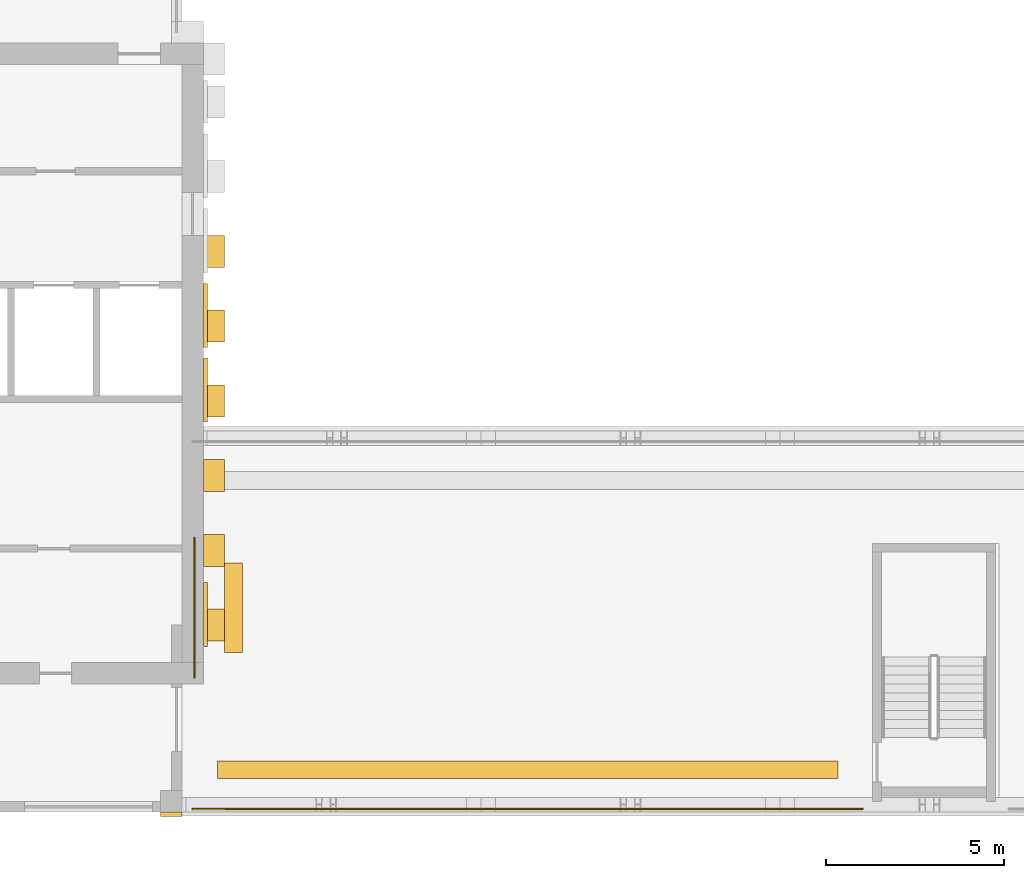
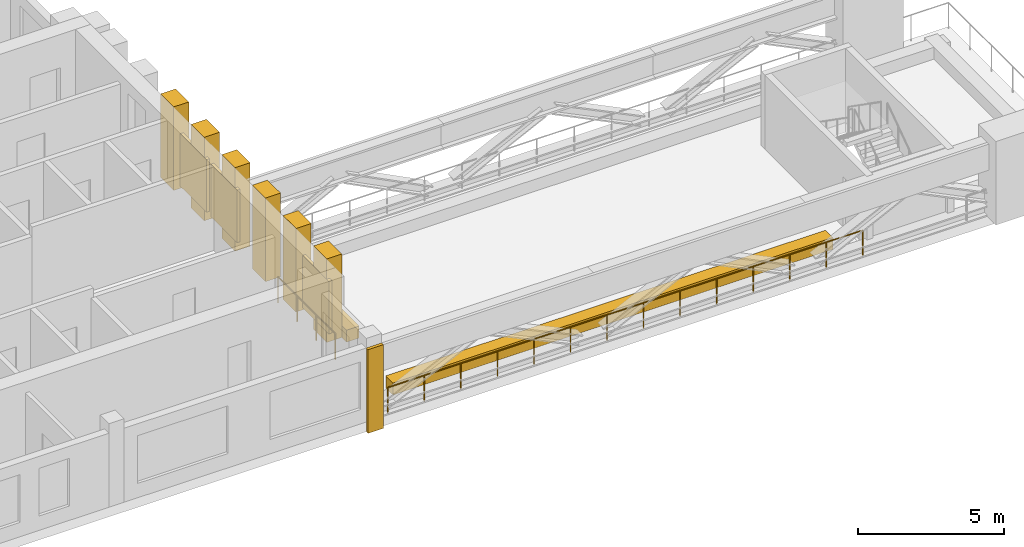
# One storey, part 6 of 9: 12 coverings, 2 railings.
"""IFC4 building model written with IfcOpenShell, lengths in metres."""

from ifc_helpers import new_model, si_unit, direction, frame, origin, origin_2d, place, context, subcontext, project, spatial, rectangle, circle, extrude, source, transform, mapped, material, type_object, element, save


model = new_model("IFC4")

# Units and contexts
model_context = context("Model", 3, precision=1e-05, world=origin(), true_north=direction((0.0, 1.0)))
body_context = subcontext(model_context, "Body", "Model", "MODEL_VIEW")
ifc_project = project(units=[si_unit("LENGTHUNIT", "METRE"), si_unit("AREAUNIT", "SQUARE_METRE"), si_unit("VOLUMEUNIT", "CUBIC_METRE"), si_unit("PLANEANGLEUNIT", "RADIAN"), si_unit("MASSUNIT", "GRAM", prefix="KILO")], contexts=[model_context])

# Site, building, storey
site_placement = place(None, origin())
site = spatial("IfcSite", under=ifc_project, at=site_placement, CompositionType="ELEMENT")
building_placement = place(site_placement, origin())
building = spatial("IfcBuilding", under=site, at=building_placement, Name="Aurelian Terraces", CompositionType="ELEMENT")
storey_placement = place(building_placement, frame((0.0, 0.0, 351.0)))
storey = spatial("IfcBuildingStorey", under=building, at=storey_placement, Name="L83", CompositionType="ELEMENT", Elevation=351.0)

# Railing
ifc_material_1 = material(Name="Anodised aluminium", Category="aluminium")
railing_type = type_object("IfcRailingType", Name="GUARD-1100", PredefinedType="GUARDRAIL", material=ifc_material_1)
railing_1_placement = place(storey_placement, frame((40.1211, 0.09, 0.0)))
element("IfcRailing", 1, at=railing_1_placement, inside=storey, type_object=railing_type, Name="Terrace guard L83 PORTAL-U1.1", PredefinedType="GUARDRAIL", context=body_context, shape_type="SweptSolid", body=[
    extrude(circle(Radius=0.024, at=origin_2d()), frame((0.0, 0.0, 1.076), z_axis=(-1.0, 0.0, 0.0), x_axis=(0.0, -1.0, 0.0)), (0.0, 0.0, 1.0), 18.8211),
    extrude(circle(Radius=0.021, at=origin_2d()), origin(), (0.0, 0.0, 1.0), 1.052),
    extrude(circle(Radius=0.021, at=origin_2d()), frame((-1.4478, 0.0, 0.0)), (0.0, 0.0, 1.0), 1.052),
    extrude(circle(Radius=0.021, at=origin_2d()), frame((-2.8956, 0.0, 0.0)), (0.0, 0.0, 1.0), 1.052),
    extrude(circle(Radius=0.021, at=origin_2d()), frame((-4.3433, 0.0, 0.0)), (0.0, 0.0, 1.0), 1.052),
    extrude(circle(Radius=0.021, at=origin_2d()), frame((-5.7911, 0.0, 0.0)), (0.0, 0.0, 1.0), 1.052),
    extrude(circle(Radius=0.021, at=origin_2d()), frame((-7.2389, 0.0, 0.0)), (0.0, 0.0, 1.0), 1.052),
    extrude(circle(Radius=0.021, at=origin_2d()), frame((-8.6867, 0.0, 0.0)), (0.0, 0.0, 1.0), 1.052),
    extrude(circle(Radius=0.021, at=origin_2d()), frame((-10.1344, 0.0, 0.0)), (0.0, 0.0, 1.0), 1.052),
    extrude(circle(Radius=0.021, at=origin_2d()), frame((-11.5822, 0.0, 0.0)), (0.0, 0.0, 1.0), 1.052),
    extrude(circle(Radius=0.021, at=origin_2d()), frame((-13.03, 0.0, 0.0)), (0.0, 0.0, 1.0), 1.052),
    extrude(circle(Radius=0.021, at=origin_2d()), frame((-14.4778, 0.0, 0.0)), (0.0, 0.0, 1.0), 1.052),
    extrude(circle(Radius=0.021, at=origin_2d()), frame((-15.9255, 0.0, 0.0)), (0.0, 0.0, 1.0), 1.052),
    extrude(circle(Radius=0.021, at=origin_2d()), frame((-17.3733, 0.0, 0.0)), (0.0, 0.0, 1.0), 1.052),
    extrude(circle(Radius=0.021, at=origin_2d()), frame((-18.8211, 0.0, 0.0)), (0.0, 0.0, 1.0), 1.052),
])

# Coverings
ifc_material_2 = material(Name="Terracotta planter with planting soil", Category="masonry")
covering_type_1 = type_object("IfcCoveringType", Name="PLANTER-TROUGH", PredefinedType="USERDEFINED", material=ifc_material_2)
covering_1_placement = place(storey_placement, frame((30.7106, 1.19, 0.0), z_axis=(0.0, 0.0, 1.0), x_axis=(1.0, 0.0, 0.0)))
element("IfcCovering", 2, at=covering_1_placement, inside=storey, type_object=covering_type_1, Name="PLANTER L83 terrace PORTAL-U1-0.1", ObjectType="PLANTER", PredefinedType="USERDEFINED", context=body_context, shape_type="SweptSolid", body=[
    extrude(rectangle(XDim=17.4211, YDim=0.5, at=origin_2d()), origin(), (0.0, 0.0, 1.0), 0.5),
])
ifc_material_3 = material(Name="Terracotta rainscreen cladding louvre blades", Category="masonry")
covering_type_2 = type_object("IfcCoveringType", Name="LOUVRE-TC", PredefinedType="CLADDING", material=ifc_material_3)
shared_shape_1 = source(origin(), body_context, "Body", "SweptSolid", [
    extrude(rectangle(XDim=0.12, YDim=1.8, at=origin_2d()), origin(), (0.0, 0.0, 1.0), 2.2),
])
for number, where, z_axis, x_axis, name in (
    (3, (21.66, 5.55, 0.45), (0.0, 0.0, 1.0), (1.0, 0.0, 0.0), "LOUVRE L83 core face E.1"),
    (4, (21.66, 11.85, 0.45), (0.0, 0.0, 1.0), (1.0, 0.0, 0.0), "LOUVRE L83 core face E.2"),
    (5, (21.66, 13.95, 0.45), (0.0, 0.0, 1.0), (1.0, 0.0, 0.0), "LOUVRE L83 core face E.3"),
):
    element("IfcCovering", number, at=place(storey_placement, frame(where, z_axis=z_axis, x_axis=x_axis)), inside=storey, type_object=covering_type_2, Name=name, PredefinedType="CLADDING", context=body_context, shape_type="MappedRepresentation", body=[
        mapped(shared_shape_1, transform((0.0, 0.0, 0.0), scale=1.0)),
    ])
ifc_material_4 = material(Name="Terracotta rainscreen cladding relief", Category="masonry")
covering_type_3 = type_object("IfcCoveringType", Name="BAGUETTE-TC", PredefinedType="CLADDING", material=ifc_material_4)
shared_shape_2 = source(origin(), body_context, "Body", "SweptSolid", [
    extrude(rectangle(XDim=0.6, YDim=0.12, at=origin_2d()), origin(), (0.0, 0.0, 1.0), 3.5),
])
covering_2_placement = place(storey_placement, frame((20.7, -0.06, -0.4), z_axis=(0.0, 0.0, 1.0), x_axis=(1.0, 0.0, 0.0)))
element("IfcCovering", 6, at=covering_2_placement, inside=storey, type_object=covering_type_3, Name="BAGUETTE pier L83 1", PredefinedType="CLADDING", context=body_context, shape_type="MappedRepresentation", body=[
    mapped(shared_shape_2, transform((0.0, 0.0, 0.0), scale=1.0)),
])

# Railing
shared_shape_3 = source(origin(), body_context, "Body", "SweptSolid", [
    extrude(circle(Radius=0.024, at=origin_2d()), frame((0.0, 0.0, 1.076), z_axis=(0.0, 1.0, 0.0), x_axis=(-1.0, 0.0, 0.0)), (0.0, 0.0, 1.0), 3.9242),
    extrude(circle(Radius=0.021, at=origin_2d()), origin(), (0.0, 0.0, 1.0), 1.052),
    extrude(circle(Radius=0.021, at=origin_2d()), frame((0.0, 1.3081, 0.0)), (0.0, 0.0, 1.0), 1.052),
    extrude(circle(Radius=0.021, at=origin_2d()), frame((0.0, 2.6161, 0.0)), (0.0, 0.0, 1.0), 1.052),
    extrude(circle(Radius=0.021, at=origin_2d()), frame((0.0, 3.9242, 0.0)), (0.0, 0.0, 1.0), 1.052),
])
railing_2_placement = place(storey_placement, frame((21.35, 3.7758, 0.0)))
element("IfcRailing", 7, at=railing_2_placement, inside=storey, type_object=railing_type, Name="Terrace guard L83 PORTAL-U1.5", PredefinedType="GUARDRAIL", context=body_context, shape_type="MappedRepresentation", body=[
    mapped(shared_shape_3, transform((0.0, 0.0, 0.0), scale=1.0)),
])

# Coverings
shared_shape_4 = source(origin(), body_context, "Body", "SweptSolid", [
    extrude(rectangle(XDim=0.5, YDim=2.5242, at=origin_2d()), origin(), (0.0, 0.0, 1.0), 0.5),
])
covering_3_placement = place(storey_placement, frame((22.45, 5.7379, 0.0), z_axis=(0.0, 0.0, 1.0), x_axis=(1.0, 0.0, 0.0)))
element("IfcCovering", 8, at=covering_3_placement, inside=storey, type_object=covering_type_1, Name="PLANTER L83 terrace PORTAL-U1-4.1", ObjectType="PLANTER", PredefinedType="USERDEFINED", context=body_context, shape_type="MappedRepresentation", body=[
    mapped(shared_shape_4, transform((0.0, 0.0, 0.0), scale=1.0)),
])
covering_type_4 = type_object("IfcCoveringType", Name="Core spine pier 900x600", PredefinedType="CLADDING", material=ifc_material_4)
shared_shape_5 = source(origin(), body_context, "Body", "SweptSolid", [
    extrude(rectangle(XDim=0.6, YDim=0.9, at=origin_2d()), origin(), (0.0, 0.0, 1.0), 3.5),
])
for number, where, z_axis, x_axis, name in (
    (9, (21.9, 5.25, 0.0), (0.0, 0.0, 1.0), (1.0, 0.0, 0.0), "Spine pier L83 E1"),
    (10, (21.9, 7.35, 0.0), (0.0, 0.0, 1.0), (1.0, 0.0, 0.0), "Spine pier L83 E2"),
    (11, (21.9, 9.45, 0.0), (0.0, 0.0, 1.0), (1.0, 0.0, 0.0), "Spine pier L83 E3"),
    (12, (21.9, 11.55, 0.0), (0.0, 0.0, 1.0), (1.0, 0.0, 0.0), "Spine pier L83 E4"),
    (13, (21.9, 13.65, 0.0), (0.0, 0.0, 1.0), (1.0, 0.0, 0.0), "Spine pier L83 E5"),
    (14, (21.9, 15.75, 0.0), (0.0, 0.0, 1.0), (1.0, 0.0, 0.0), "Spine pier L83 E6"),
):
    element("IfcCovering", number, at=place(storey_placement, frame(where, z_axis=z_axis, x_axis=x_axis)), inside=storey, type_object=covering_type_4, Name=name, PredefinedType="CLADDING", context=body_context, shape_type="MappedRepresentation", body=[
        mapped(shared_shape_5, transform((0.0, 0.0, 0.0), scale=1.0)),
    ])

save(model, "model.ifc")
